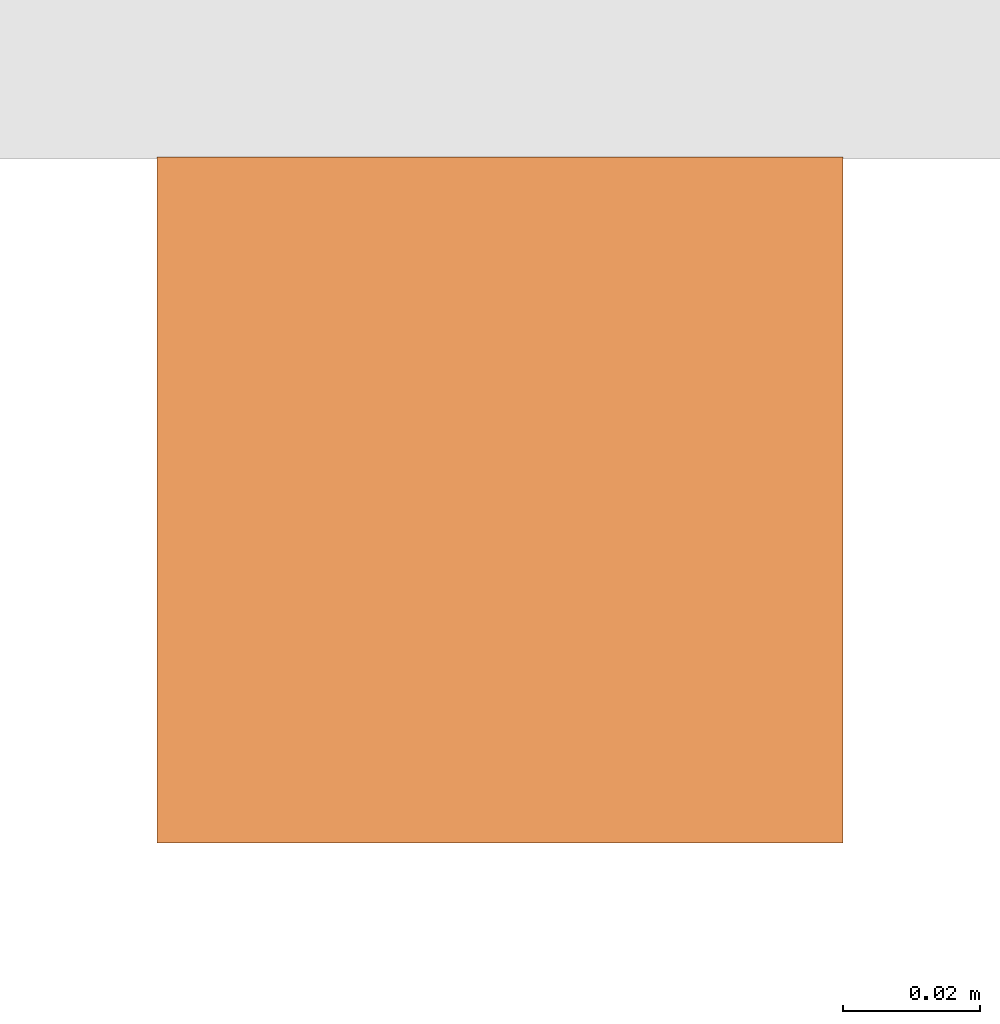
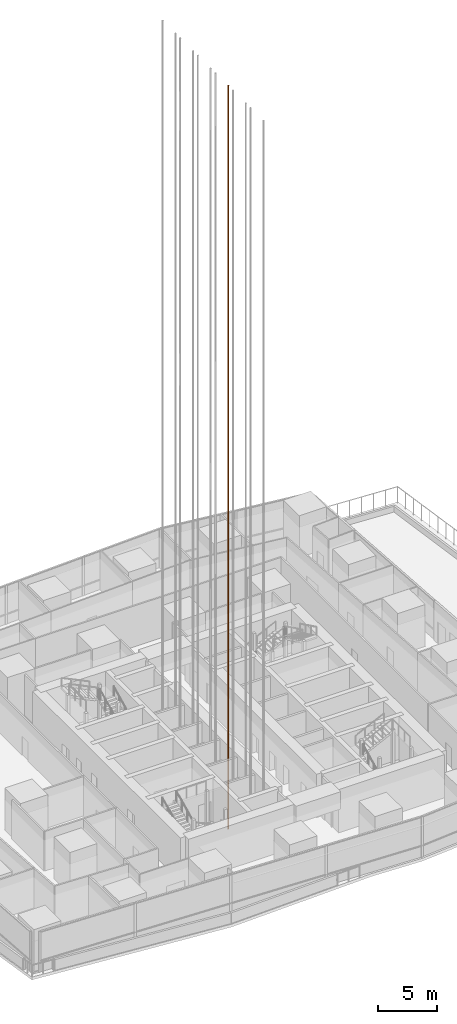
# One storey, part 32 of 39: 1 proxy.
"""IFC4 building model written with IfcOpenShell, lengths in metres."""

from ifc_helpers import new_model, si_unit, direction, frame, origin, origin_2d, place, context, subcontext, project, spatial, rectangle, extrude, material, type_object, element, save


model = new_model("IFC4")

# Units and contexts
model_context = context("Model", 3, precision=1e-05, world=origin(), true_north=direction((0.0, 1.0)))
body_context = subcontext(model_context, "Body", "Model", "MODEL_VIEW")
ifc_project = project(units=[si_unit("LENGTHUNIT", "METRE"), si_unit("AREAUNIT", "SQUARE_METRE"), si_unit("VOLUMEUNIT", "CUBIC_METRE"), si_unit("PLANEANGLEUNIT", "RADIAN"), si_unit("MASSUNIT", "GRAM", prefix="KILO")], contexts=[model_context])

# Site, building, storey
site_placement = place(None, origin())
site = spatial("IfcSite", under=ifc_project, at=site_placement, CompositionType="ELEMENT")
building_placement = place(site_placement, origin())
building = spatial("IfcBuilding", under=site, at=building_placement, Name="Rekha Terrace Tower", CompositionType="ELEMENT")
storey_placement = place(building_placement, frame((0.0, 0.0, 168.199951171875)))
storey = spatial("IfcBuildingStorey", under=building, at=storey_placement, Name="L42", CompositionType="ELEMENT", Elevation=168.199951171875)

# Proxy
ifc_material = material(Name="Steel guide rail", Category="steel")
building_element_proxy_type = type_object("IfcBuildingElementProxyType", Name="LR1 100 lift guide rail", PredefinedType="ELEMENT", material=ifc_material)
proxy_placement = place(storey_placement, frame((34.5, 29.800048828125, -3.2998046875), z_axis=(0.0, 0.0, 1.0), x_axis=(1.0, 0.0, 0.0)))
element("IfcBuildingElementProxy", 1, at=proxy_placement, inside=storey, type_object=building_element_proxy_type, Name="Lift C3 guide rail 1", PredefinedType="ELEMENT", context=body_context, shape_type="SweptSolid", body=[
    extrude(rectangle(XDim=0.10009765625, YDim=0.10009765625, at=origin_2d()), origin(), (0.0, 0.0, 1.0), 77.39990234375),
])

save(model, "model.ifc")
